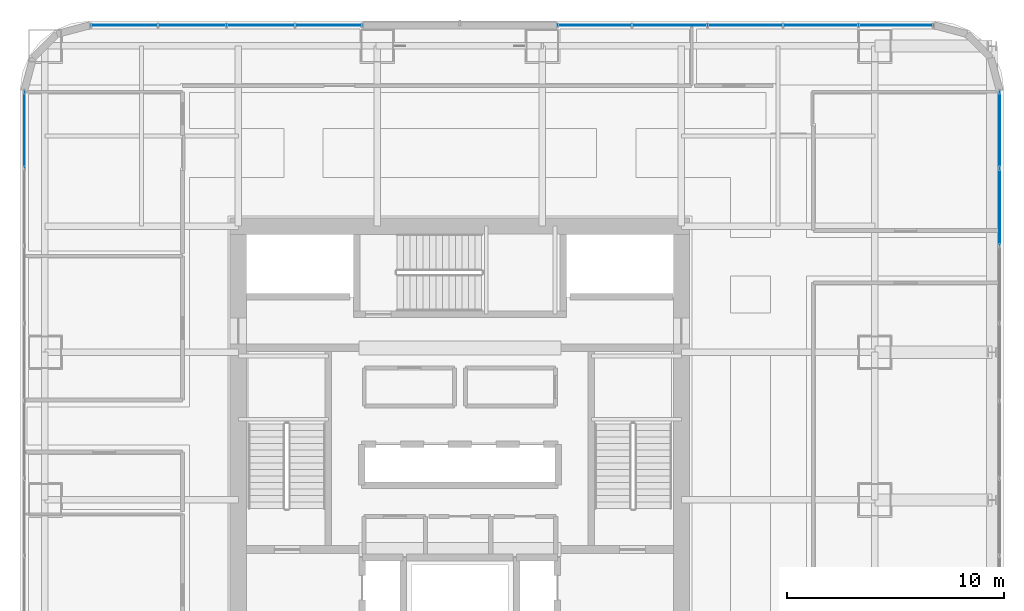
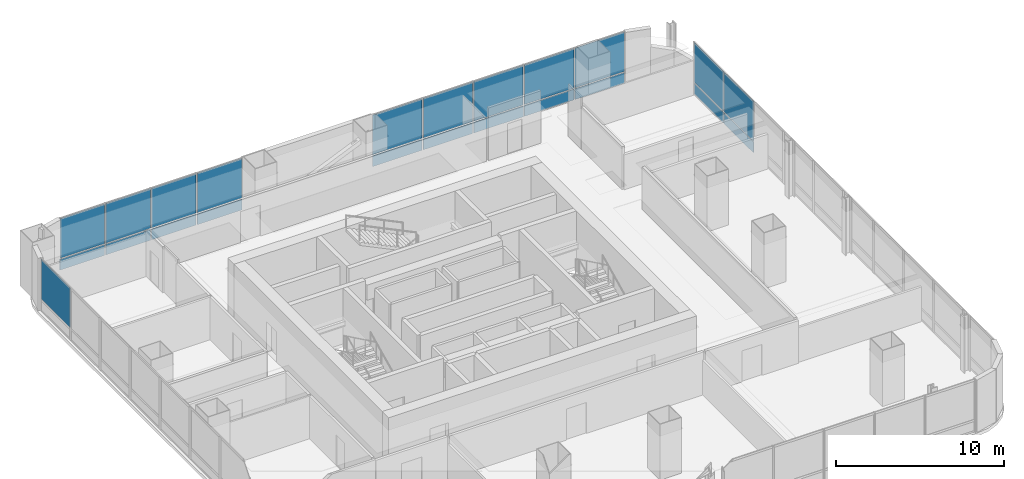
# One storey, part 26 of 40: 23 plates, 4 elements without a shape of their own.
"""IFC4 building model written with IfcOpenShell, lengths in metres."""

from ifc_helpers import new_model, si_unit, direction, frame, origin, origin_2d, place, context, subcontext, project, spatial, rectangle, extrude, material, layer, layer_set, type_object, element, aggregate, save


model = new_model("IFC4")

# Units and contexts
model_context = context("Model", 3, precision=1e-05, world=origin(), true_north=direction((0.0, 1.0)))
body_context = subcontext(model_context, "Body", "Model", "MODEL_VIEW")
ifc_project = project(units=[si_unit("LENGTHUNIT", "METRE"), si_unit("AREAUNIT", "SQUARE_METRE"), si_unit("VOLUMEUNIT", "CUBIC_METRE"), si_unit("PLANEANGLEUNIT", "RADIAN"), si_unit("MASSUNIT", "GRAM", prefix="KILO")], contexts=[model_context])

# Site, building, storey
site_placement = place(None, origin())
site = spatial("IfcSite", under=ifc_project, at=site_placement, CompositionType="ELEMENT")
building_placement = place(site_placement, origin())
building = spatial("IfcBuilding", under=site, at=building_placement, Name="Punatoya Terracotta Tower", CompositionType="ELEMENT")
storey_placement = place(building_placement, frame((0.0, 0.0, 76.800048828125)))
storey = spatial("IfcBuildingStorey", under=building, at=storey_placement, Name="L17", CompositionType="ELEMENT", Elevation=76.800048828125)

# Curtain wall, plates
ifc_material_1 = material(Name="Aluminium 6063-T6 + Double Low-E Glass", Category="aluminium")
curtain_wall_type = type_object("IfcCurtainWallType", Name="CW-M1", PredefinedType="NOTDEFINED", material=ifc_material_1)
curtain_wall_1_placement = place(storey_placement, origin())
curtain_wall_1 = element("IfcCurtainWall", 1, at=curtain_wall_1_placement, inside=storey, type_object=curtain_wall_type, Name="L17 Curtain Wall CW-L17-E05-1", PredefinedType="NOTDEFINED")
ifc_material_2 = material(Name="Double Low-E Clear Vision Glass", Category="glass")
ifc_layer_1 = layer(ifc_material_2, 0.028076171875)
ifc_layer_set_1 = layer_set([ifc_layer_1], Name="Double Low-E Clear Vision Glass")
plate_type_1 = type_object("IfcPlateType", Name="PLT-GLZ-28", PredefinedType="CURTAIN_PANEL", material=ifc_layer_set_1)
plate_1_placement = place(storey_placement, frame((24.85009765625, 10.085693359375, 0.889892578125), z_axis=(0.0, 0.0, 1.0), x_axis=(0.0, 1.0, 0.0)))
plate_1 = element("IfcPlate", 2, at=plate_1_placement, type_object=plate_type_1, Name="CW-L17-E05-1 Vision Glass Panel 9", PredefinedType="CURTAIN_PANEL", context=body_context, shape_type="SweptSolid", body=[
    extrude(rectangle(XDim=3.482421875, YDim=0.028076171875, at=origin_2d()), origin(), (0.0, 0.0, 1.0), 2.8798828125),
])
plate_2_placement = place(storey_placement, frame((24.85009765625, 13.6533203125, 0.889892578125), z_axis=(0.0, 0.0, 1.0), x_axis=(0.0, 1.0, 0.0)))
plate_2 = element("IfcPlate", 3, at=plate_2_placement, type_object=plate_type_1, Name="CW-L17-E05-1 Vision Glass Panel 10", PredefinedType="CURTAIN_PANEL", context=body_context, shape_type="SweptSolid", body=[
    extrude(rectangle(XDim=3.482421875, YDim=0.028076171875, at=origin_2d()), origin(), (0.0, 0.0, 1.0), 2.8798828125),
])

curtain_wall_2_placement = place(storey_placement, origin())
curtain_wall_2 = element("IfcCurtainWall", 4, at=curtain_wall_2_placement, inside=storey, type_object=curtain_wall_type, Name="L17 Curtain Wall CW-L17-N09-1", PredefinedType="NOTDEFINED")
plate_3_placement = place(storey_placement, frame((20.09814453125, 18.449951171875, 0.889892578125), z_axis=(0.0, 0.0, 1.0), x_axis=(-1.0, 0.0, 0.0)))
plate_3 = element("IfcPlate", 5, at=plate_3_placement, type_object=plate_type_1, Name="CW-L17-N09-1 Vision Glass Panel 1", PredefinedType="CURTAIN_PANEL", context=body_context, shape_type="SweptSolid", body=[
    extrude(rectangle(XDim=3.392333984375, YDim=0.028076171875, at=origin_2d()), origin(), (0.0, 0.0, 1.0), 2.8798828125),
])
plate_4_placement = place(storey_placement, frame((16.620849609375, 18.449951171875, 0.889892578125), z_axis=(0.0, 0.0, 1.0), x_axis=(-1.0, 0.0, 0.0)))
plate_4 = element("IfcPlate", 6, at=plate_4_placement, type_object=plate_type_1, Name="CW-L17-N09-1 Vision Glass Panel 2", PredefinedType="CURTAIN_PANEL", context=body_context, shape_type="SweptSolid", body=[
    extrude(rectangle(XDim=3.392333984375, YDim=0.028076171875, at=origin_2d()), origin(), (0.0, 0.0, 1.0), 2.8798828125),
])
plate_5_placement = place(storey_placement, frame((13.143310546875, 18.449951171875, 0.889892578125), z_axis=(0.0, 0.0, 1.0), x_axis=(-1.0, 0.0, 0.0)))
plate_5 = element("IfcPlate", 7, at=plate_5_placement, type_object=plate_type_1, Name="CW-L17-N09-1 Vision Glass Panel 3", PredefinedType="CURTAIN_PANEL", context=body_context, shape_type="SweptSolid", body=[
    extrude(rectangle(XDim=3.392333984375, YDim=0.028076171875, at=origin_2d()), origin(), (0.0, 0.0, 1.0), 2.8798828125),
])
plate_6_placement = place(storey_placement, frame((9.666015625, 18.449951171875, 0.889892578125), z_axis=(0.0, 0.0, 1.0), x_axis=(-1.0, 0.0, 0.0)))
plate_6 = element("IfcPlate", 8, at=plate_6_placement, type_object=plate_type_1, Name="CW-L17-N09-1 Vision Glass Panel 4", PredefinedType="CURTAIN_PANEL", context=body_context, shape_type="SweptSolid", body=[
    extrude(rectangle(XDim=3.392333984375, YDim=0.028076171875, at=origin_2d()), origin(), (0.0, 0.0, 1.0), 2.8798828125),
])
plate_7_placement = place(storey_placement, frame((6.188720703125, 18.449951171875, 0.889892578125), z_axis=(0.0, 0.0, 1.0), x_axis=(-1.0, 0.0, 0.0)))
plate_7 = element("IfcPlate", 9, at=plate_7_placement, type_object=plate_type_1, Name="CW-L17-N09-1 Vision Glass Panel 5", PredefinedType="CURTAIN_PANEL", context=body_context, shape_type="SweptSolid", body=[
    extrude(rectangle(XDim=3.392333984375, YDim=0.028076171875, at=origin_2d()), origin(), (0.0, 0.0, 1.0), 2.8798828125),
])

curtain_wall_3_placement = place(storey_placement, origin())
curtain_wall_3 = element("IfcCurtainWall", 10, at=curtain_wall_3_placement, inside=storey, type_object=curtain_wall_type, Name="L17 Curtain Wall CW-L17-N09-2", PredefinedType="NOTDEFINED")
plate_8_placement = place(storey_placement, frame((-6.0234375, 18.449951171875, 0.889892578125), z_axis=(0.0, 0.0, 1.0), x_axis=(-1.0, 0.0, 0.0)))
plate_8 = element("IfcPlate", 11, at=plate_8_placement, type_object=plate_type_1, Name="CW-L17-N09-2 Vision Glass Panel 1", PredefinedType="CURTAIN_PANEL", context=body_context, shape_type="SweptSolid", body=[
    extrude(rectangle(XDim=3.061767578125, YDim=0.028076171875, at=origin_2d()), origin(), (0.0, 0.0, 1.0), 2.8798828125),
])
plate_9_placement = place(storey_placement, frame((-9.170166015625, 18.449951171875, 0.889892578125), z_axis=(0.0, 0.0, 1.0), x_axis=(-1.0, 0.0, 0.0)))
plate_9 = element("IfcPlate", 12, at=plate_9_placement, type_object=plate_type_1, Name="CW-L17-N09-2 Vision Glass Panel 2", PredefinedType="CURTAIN_PANEL", context=body_context, shape_type="SweptSolid", body=[
    extrude(rectangle(XDim=3.061767578125, YDim=0.028076171875, at=origin_2d()), origin(), (0.0, 0.0, 1.0), 2.8798828125),
])
plate_10_placement = place(storey_placement, frame((-12.31689453125, 18.449951171875, 0.889892578125), z_axis=(0.0, 0.0, 1.0), x_axis=(-1.0, 0.0, 0.0)))
plate_10 = element("IfcPlate", 13, at=plate_10_placement, type_object=plate_type_1, Name="CW-L17-N09-2 Vision Glass Panel 3", PredefinedType="CURTAIN_PANEL", context=body_context, shape_type="SweptSolid", body=[
    extrude(rectangle(XDim=3.061767578125, YDim=0.028076171875, at=origin_2d()), origin(), (0.0, 0.0, 1.0), 2.8798828125),
])
plate_11_placement = place(storey_placement, frame((-15.46337890625, 18.449951171875, 0.889892578125), z_axis=(0.0, 0.0, 1.0), x_axis=(-1.0, 0.0, 0.0)))
plate_11 = element("IfcPlate", 14, at=plate_11_placement, type_object=plate_type_1, Name="CW-L17-N09-2 Vision Glass Panel 4", PredefinedType="CURTAIN_PANEL", context=body_context, shape_type="SweptSolid", body=[
    extrude(rectangle(XDim=3.061767578125, YDim=0.028076171875, at=origin_2d()), origin(), (0.0, 0.0, 1.0), 2.8798828125),
])

# Curtain wall, plate
curtain_wall_4_placement = place(storey_placement, origin())
curtain_wall_4 = element("IfcCurtainWall", 15, at=curtain_wall_4_placement, inside=storey, type_object=curtain_wall_type, Name="L17 Curtain Wall CW-L17-W13-1", PredefinedType="NOTDEFINED")
plate_12_placement = place(storey_placement, frame((-20.050048828125, 13.6533203125, 0.889892578125), z_axis=(0.0, 0.0, 1.0), x_axis=(0.0, -1.0, 0.0)))
plate_12 = element("IfcPlate", 16, at=plate_12_placement, type_object=plate_type_1, Name="CW-L17-W13-1 Vision Glass Panel 1", PredefinedType="CURTAIN_PANEL", context=body_context, shape_type="SweptSolid", body=[
    extrude(rectangle(XDim=3.482421875, YDim=0.028076171875, at=origin_2d()), origin(), (0.0, 0.0, 1.0), 2.8798828125),
])
aggregate(curtain_wall_4, [plate_12])

# Plate
ifc_material_3 = material(Name="Insulated Terracotta-Backed Spandrel Panel", Category="masonry")
ifc_layer_2 = layer(ifc_material_3, 0.044921875)
ifc_layer_set_2 = layer_set([ifc_layer_2], Name="Insulated Terracotta-Backed Spandrel Panel")
plate_type_2 = type_object("IfcPlateType", Name="PLT-SPN-45", PredefinedType="CURTAIN_PANEL", material=ifc_layer_set_2)
plate_13_placement = place(storey_placement, frame((24.85009765625, 10.085693359375, 0.0400390625), z_axis=(0.0, 0.0, 1.0), x_axis=(0.0, 1.0, 0.0)))
plate_13 = element("IfcPlate", 17, at=plate_13_placement, type_object=plate_type_2, Name="CW-L17-E05-1 Terracotta Spandrel Panel 9", PredefinedType="CURTAIN_PANEL", context=body_context, shape_type="SweptSolid", body=[
    extrude(rectangle(XDim=3.482421875, YDim=0.044921875, at=origin_2d()), origin(), (0.0, 0.0, 1.0), 0.77490234375),
])

plate_14_placement = place(storey_placement, frame((24.85009765625, 13.6533203125, 0.0400390625), z_axis=(0.0, 0.0, 1.0), x_axis=(0.0, 1.0, 0.0)))
plate_14 = element("IfcPlate", 18, at=plate_14_placement, type_object=plate_type_2, Name="CW-L17-E05-1 Terracotta Spandrel Panel 10", PredefinedType="CURTAIN_PANEL", context=body_context, shape_type="SweptSolid", body=[
    extrude(rectangle(XDim=3.482421875, YDim=0.044921875, at=origin_2d()), origin(), (0.0, 0.0, 1.0), 0.77490234375),
])

aggregate(curtain_wall_1, [plate_13, plate_1, plate_14, plate_2])

plate_15_placement = place(storey_placement, frame((20.09814453125, 18.449951171875, 0.0400390625), z_axis=(0.0, 0.0, 1.0), x_axis=(-1.0, 0.0, 0.0)))
plate_15 = element("IfcPlate", 19, at=plate_15_placement, type_object=plate_type_2, Name="CW-L17-N09-1 Terracotta Spandrel Panel 1", PredefinedType="CURTAIN_PANEL", context=body_context, shape_type="SweptSolid", body=[
    extrude(rectangle(XDim=3.392333984375, YDim=0.044921875, at=origin_2d()), origin(), (0.0, 0.0, 1.0), 0.77490234375),
])

plate_16_placement = place(storey_placement, frame((16.620849609375, 18.449951171875, 0.0400390625), z_axis=(0.0, 0.0, 1.0), x_axis=(-1.0, 0.0, 0.0)))
plate_16 = element("IfcPlate", 20, at=plate_16_placement, type_object=plate_type_2, Name="CW-L17-N09-1 Terracotta Spandrel Panel 2", PredefinedType="CURTAIN_PANEL", context=body_context, shape_type="SweptSolid", body=[
    extrude(rectangle(XDim=3.392333984375, YDim=0.044921875, at=origin_2d()), origin(), (0.0, 0.0, 1.0), 0.77490234375),
])

plate_17_placement = place(storey_placement, frame((13.143310546875, 18.449951171875, 0.0400390625), z_axis=(0.0, 0.0, 1.0), x_axis=(-1.0, 0.0, 0.0)))
plate_17 = element("IfcPlate", 21, at=plate_17_placement, type_object=plate_type_2, Name="CW-L17-N09-1 Terracotta Spandrel Panel 3", PredefinedType="CURTAIN_PANEL", context=body_context, shape_type="SweptSolid", body=[
    extrude(rectangle(XDim=3.392333984375, YDim=0.044921875, at=origin_2d()), origin(), (0.0, 0.0, 1.0), 0.77490234375),
])

plate_18_placement = place(storey_placement, frame((9.666015625, 18.449951171875, 0.0400390625), z_axis=(0.0, 0.0, 1.0), x_axis=(-1.0, 0.0, 0.0)))
plate_18 = element("IfcPlate", 22, at=plate_18_placement, type_object=plate_type_2, Name="CW-L17-N09-1 Terracotta Spandrel Panel 4", PredefinedType="CURTAIN_PANEL", context=body_context, shape_type="SweptSolid", body=[
    extrude(rectangle(XDim=3.392333984375, YDim=0.044921875, at=origin_2d()), origin(), (0.0, 0.0, 1.0), 0.77490234375),
])

plate_19_placement = place(storey_placement, frame((6.188720703125, 18.449951171875, 0.0400390625), z_axis=(0.0, 0.0, 1.0), x_axis=(-1.0, 0.0, 0.0)))
plate_19 = element("IfcPlate", 23, at=plate_19_placement, type_object=plate_type_2, Name="CW-L17-N09-1 Terracotta Spandrel Panel 5", PredefinedType="CURTAIN_PANEL", context=body_context, shape_type="SweptSolid", body=[
    extrude(rectangle(XDim=3.392333984375, YDim=0.044921875, at=origin_2d()), origin(), (0.0, 0.0, 1.0), 0.77490234375),
])

aggregate(curtain_wall_2, [plate_15, plate_3, plate_16, plate_4, plate_17, plate_5, plate_18, plate_6, plate_19, plate_7])

plate_20_placement = place(storey_placement, frame((-6.0234375, 18.449951171875, 0.0400390625), z_axis=(0.0, 0.0, 1.0), x_axis=(-1.0, 0.0, 0.0)))
plate_20 = element("IfcPlate", 24, at=plate_20_placement, type_object=plate_type_2, Name="CW-L17-N09-2 Terracotta Spandrel Panel 1", PredefinedType="CURTAIN_PANEL", context=body_context, shape_type="SweptSolid", body=[
    extrude(rectangle(XDim=3.061767578125, YDim=0.044921875, at=origin_2d()), origin(), (0.0, 0.0, 1.0), 0.77490234375),
])

plate_21_placement = place(storey_placement, frame((-9.170166015625, 18.449951171875, 0.0400390625), z_axis=(0.0, 0.0, 1.0), x_axis=(-1.0, 0.0, 0.0)))
plate_21 = element("IfcPlate", 25, at=plate_21_placement, type_object=plate_type_2, Name="CW-L17-N09-2 Terracotta Spandrel Panel 2", PredefinedType="CURTAIN_PANEL", context=body_context, shape_type="SweptSolid", body=[
    extrude(rectangle(XDim=3.061767578125, YDim=0.044921875, at=origin_2d()), origin(), (0.0, 0.0, 1.0), 0.77490234375),
])

plate_22_placement = place(storey_placement, frame((-12.31689453125, 18.449951171875, 0.0400390625), z_axis=(0.0, 0.0, 1.0), x_axis=(-1.0, 0.0, 0.0)))
plate_22 = element("IfcPlate", 26, at=plate_22_placement, type_object=plate_type_2, Name="CW-L17-N09-2 Terracotta Spandrel Panel 3", PredefinedType="CURTAIN_PANEL", context=body_context, shape_type="SweptSolid", body=[
    extrude(rectangle(XDim=3.061767578125, YDim=0.044921875, at=origin_2d()), origin(), (0.0, 0.0, 1.0), 0.77490234375),
])

plate_23_placement = place(storey_placement, frame((-15.46337890625, 18.449951171875, 0.0400390625), z_axis=(0.0, 0.0, 1.0), x_axis=(-1.0, 0.0, 0.0)))
plate_23 = element("IfcPlate", 27, at=plate_23_placement, type_object=plate_type_2, Name="CW-L17-N09-2 Terracotta Spandrel Panel 4", PredefinedType="CURTAIN_PANEL", context=body_context, shape_type="SweptSolid", body=[
    extrude(rectangle(XDim=3.061767578125, YDim=0.044921875, at=origin_2d()), origin(), (0.0, 0.0, 1.0), 0.77490234375),
])

aggregate(curtain_wall_3, [plate_20, plate_8, plate_21, plate_9, plate_22, plate_10, plate_23, plate_11])

save(model, "model.ifc")
